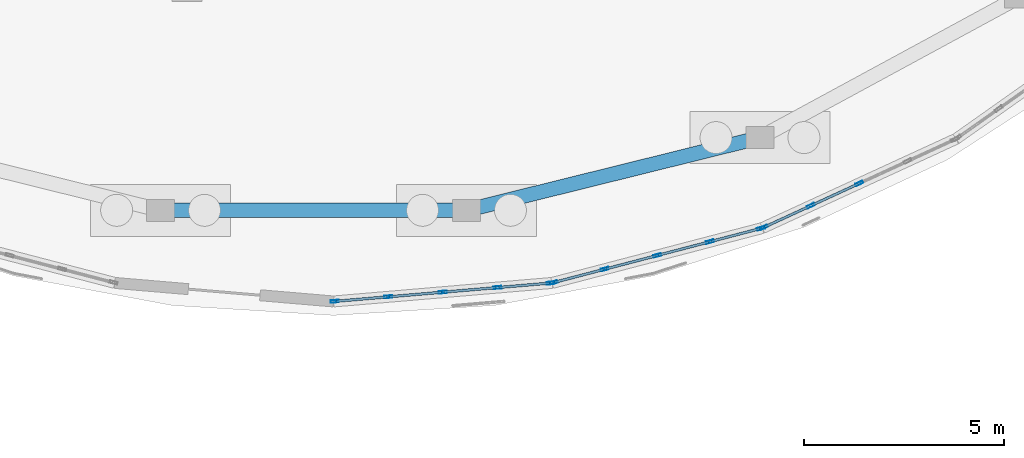
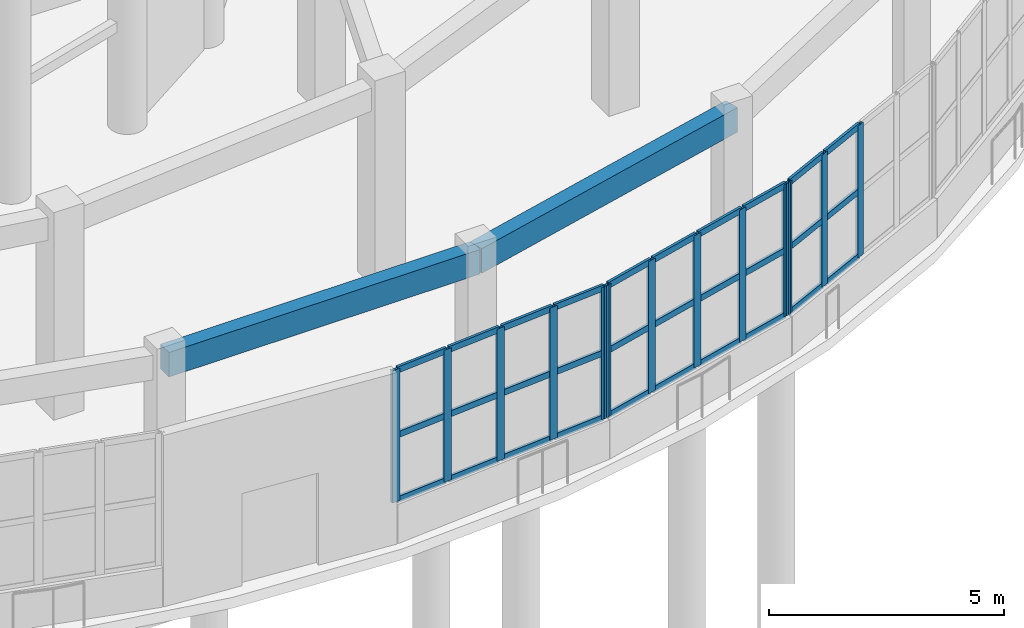
# One storey, part 32 of 96: 43 members, 2 beams, 3 elements without a shape of their own.
"""IFC4 building model written with IfcOpenShell, lengths in metres."""

from ifc_helpers import new_model, si_unit, direction, frame, origin, origin_2d, place, context, subcontext, project, spatial, rectangle, hollow_rectangle, extrude, material, layer, layer_set, material_profile, profile_set, type_object, element, aggregate, save


model = new_model("IFC4")

# Units and contexts
model_context = context("Model", 3, precision=1e-05, world=origin(), true_north=direction((0.0, 1.0)))
body_context = subcontext(model_context, "Body", "Model", "MODEL_VIEW")
ifc_project = project(units=[si_unit("LENGTHUNIT", "METRE"), si_unit("AREAUNIT", "SQUARE_METRE"), si_unit("VOLUMEUNIT", "CUBIC_METRE"), si_unit("PLANEANGLEUNIT", "RADIAN"), si_unit("MASSUNIT", "GRAM", prefix="KILO")], contexts=[model_context])

# Site, building, storey
site_placement = place(None, origin())
site = spatial("IfcSite", under=ifc_project, at=site_placement, CompositionType="ELEMENT")
building_placement = place(site_placement, origin())
building = spatial("IfcBuilding", under=site, at=building_placement, Name="Pelvatis Terrace Science Centre", CompositionType="ELEMENT")
storey_placement = place(building_placement, origin())
storey = spatial("IfcBuildingStorey", under=building, at=storey_placement, Name="L00", CompositionType="ELEMENT", Elevation=0.0)

# Curtain wall, members
ifc_material_1 = material(Name="Bronze-anodised aluminium and laminated glass", Category="aluminium")
ifc_layer = layer(ifc_material_1, 0.199951171875)
ifc_layer_set = layer_set([ifc_layer], Name="Bronze-anodised aluminium and laminated glass")
curtain_wall_type = type_object("IfcCurtainWallType", Name="CW-RIBBON-B", PredefinedType="NOTDEFINED", material=ifc_layer_set)
curtain_wall_1_placement = place(storey_placement, origin())
curtain_wall_1 = element("IfcCurtainWall", 1, at=curtain_wall_1_placement, inside=storey, type_object=curtain_wall_type, Name="Ribbon curtain wall CW-119 (L00)", PredefinedType="NOTDEFINED")
ifc_material_2 = material(Name="Bronze-anodised aluminium 6063-T6", Category="aluminium")
ifc_material_profile_1 = material_profile(ifc_material_2, hollow_rectangle(XDim=0.06494140625, YDim=0.199951171875, WallThickness=0.00439453125, at=origin_2d()), Name="ALU-MUL 65x200")
ifc_profile_set_1 = profile_set([ifc_material_profile_1], Name="Bronze-anodised aluminium 6063-T6")
member_type_1 = type_object("IfcMemberType", Name="CWM-65x200", PredefinedType="MULLION", material=ifc_profile_set_1)
member_1_placement = place(storey_placement, frame((111.63232421875, 58.052734375, 1.02001953125), z_axis=(0.0, 0.0, 1.0), x_axis=(-0.084487507255, 0.996424538597, 0.0)))
member_1 = element("IfcMember", 2, at=member_1_placement, type_object=member_type_1, Name="CW-119 mullion 1", PredefinedType="MULLION", context=body_context, shape_type="SweptSolid", body=[
    extrude(hollow_rectangle(XDim=0.06494140625, YDim=0.199951171875, WallThickness=0.00439453125, at=origin_2d()), origin(), (0.0, 0.0, 1.0), 3.43994140625),
])
member_2_placement = place(storey_placement, frame((112.968017578125, 58.166015625, 1.02001953125), z_axis=(0.0, 0.0, 1.0), x_axis=(-0.084487507255, 0.996424538597, 0.0)))
member_2 = element("IfcMember", 3, at=member_2_placement, type_object=member_type_1, Name="CW-119 mullion 2", PredefinedType="MULLION", context=body_context, shape_type="SweptSolid", body=[
    extrude(hollow_rectangle(XDim=0.06494140625, YDim=0.199951171875, WallThickness=0.00439453125, at=origin_2d()), origin(), (0.0, 0.0, 1.0), 3.43994140625),
])
member_3_placement = place(storey_placement, frame((114.336181640625, 58.281982421875, 1.02001953125), z_axis=(0.0, 0.0, 1.0), x_axis=(-0.084487507255, 0.996424538597, 0.0)))
member_3 = element("IfcMember", 4, at=member_3_placement, type_object=member_type_1, Name="CW-119 mullion 3", PredefinedType="MULLION", context=body_context, shape_type="SweptSolid", body=[
    extrude(hollow_rectangle(XDim=0.06494140625, YDim=0.199951171875, WallThickness=0.00439453125, at=origin_2d()), origin(), (0.0, 0.0, 1.0), 3.43994140625),
])
member_4_placement = place(storey_placement, frame((115.704345703125, 58.39794921875, 1.02001953125), z_axis=(0.0, 0.0, 1.0), x_axis=(-0.084487507255, 0.996424538597, 0.0)))
member_4 = element("IfcMember", 5, at=member_4_placement, type_object=member_type_1, Name="CW-119 mullion 4", PredefinedType="MULLION", context=body_context, shape_type="SweptSolid", body=[
    extrude(hollow_rectangle(XDim=0.06494140625, YDim=0.199951171875, WallThickness=0.00439453125, at=origin_2d()), origin(), (0.0, 0.0, 1.0), 3.43994140625),
])
member_5_placement = place(storey_placement, frame((117.039794921875, 58.51123046875, 1.02001953125), z_axis=(0.0, 0.0, 1.0), x_axis=(-0.084487507255, 0.996424538597, 0.0)))
member_5 = element("IfcMember", 6, at=member_5_placement, type_object=member_type_1, Name="CW-119 mullion 5", PredefinedType="MULLION", context=body_context, shape_type="SweptSolid", body=[
    extrude(hollow_rectangle(XDim=0.06494140625, YDim=0.199951171875, WallThickness=0.00439453125, at=origin_2d()), origin(), (0.0, 0.0, 1.0), 3.43994140625),
])

curtain_wall_2_placement = place(storey_placement, origin())
curtain_wall_2 = element("IfcCurtainWall", 7, at=curtain_wall_2_placement, inside=storey, type_object=curtain_wall_type, Name="Ribbon curtain wall CW-120 (L00)", PredefinedType="NOTDEFINED")
member_6_placement = place(storey_placement, frame((117.103759765625, 58.522216796875, 1.02001953125), z_axis=(0.0, 0.0, 1.0), x_axis=(-0.252698088449, 0.967545180389, 0.0)))
member_6 = element("IfcMember", 8, at=member_6_placement, type_object=member_type_1, Name="CW-120 mullion 1", PredefinedType="MULLION", context=body_context, shape_type="SweptSolid", body=[
    extrude(hollow_rectangle(XDim=0.06494140625, YDim=0.199951171875, WallThickness=0.00439453125, at=origin_2d()), origin(), (0.0, 0.0, 1.0), 3.43994140625),
])
member_7_placement = place(storey_placement, frame((118.3876953125, 58.857666015625, 1.02001953125), z_axis=(0.0, 0.0, 1.0), x_axis=(-0.252698088449, 0.967545180389, 0.0)))
member_7 = element("IfcMember", 9, at=member_7_placement, type_object=member_type_1, Name="CW-120 mullion 2", PredefinedType="MULLION", context=body_context, shape_type="SweptSolid", body=[
    extrude(hollow_rectangle(XDim=0.06494140625, YDim=0.199951171875, WallThickness=0.00439453125, at=origin_2d()), origin(), (0.0, 0.0, 1.0), 3.43994140625),
])
member_8_placement = place(storey_placement, frame((119.703369140625, 59.201171875, 1.02001953125), z_axis=(0.0, 0.0, 1.0), x_axis=(-0.252698088449, 0.967545180389, 0.0)))
member_8 = element("IfcMember", 10, at=member_8_placement, type_object=member_type_1, Name="CW-120 mullion 3", PredefinedType="MULLION", context=body_context, shape_type="SweptSolid", body=[
    extrude(hollow_rectangle(XDim=0.06494140625, YDim=0.199951171875, WallThickness=0.00439453125, at=origin_2d()), origin(), (0.0, 0.0, 1.0), 3.43994140625),
])
member_9_placement = place(storey_placement, frame((121.018798828125, 59.544677734375, 1.02001953125), z_axis=(0.0, 0.0, 1.0), x_axis=(-0.252698088449, 0.967545180389, 0.0)))
member_9 = element("IfcMember", 11, at=member_9_placement, type_object=member_type_1, Name="CW-120 mullion 4", PredefinedType="MULLION", context=body_context, shape_type="SweptSolid", body=[
    extrude(hollow_rectangle(XDim=0.06494140625, YDim=0.199951171875, WallThickness=0.00439453125, at=origin_2d()), origin(), (0.0, 0.0, 1.0), 3.43994140625),
])
member_10_placement = place(storey_placement, frame((122.302734375, 59.880126953125, 1.02001953125), z_axis=(0.0, 0.0, 1.0), x_axis=(-0.252698088449, 0.967545180389, 0.0)))
member_10 = element("IfcMember", 12, at=member_10_placement, type_object=member_type_1, Name="CW-120 mullion 5", PredefinedType="MULLION", context=body_context, shape_type="SweptSolid", body=[
    extrude(hollow_rectangle(XDim=0.06494140625, YDim=0.199951171875, WallThickness=0.00439453125, at=origin_2d()), origin(), (0.0, 0.0, 1.0), 3.43994140625),
])

curtain_wall_3_placement = place(storey_placement, origin())
curtain_wall_3 = element("IfcCurtainWall", 13, at=curtain_wall_3_placement, inside=storey, type_object=curtain_wall_type, Name="Ribbon curtain wall CW-121 (L00)", PredefinedType="NOTDEFINED")
member_11_placement = place(storey_placement, frame((122.36376953125, 59.90185546875, 1.02001953125), z_axis=(0.0, 0.0, 1.0), x_axis=(-0.41805650264, 0.908421026067, 0.0)))
member_11 = element("IfcMember", 14, at=member_11_placement, type_object=member_type_1, Name="CW-121 mullion 1", PredefinedType="MULLION", context=body_context, shape_type="SweptSolid", body=[
    extrude(hollow_rectangle(XDim=0.06494140625, YDim=0.199951171875, WallThickness=0.00439453125, at=origin_2d()), origin(), (0.0, 0.0, 1.0), 3.43994140625),
])
member_12_placement = place(storey_placement, frame((123.546630859375, 60.4462890625, 1.02001953125), z_axis=(0.0, 0.0, 1.0), x_axis=(-0.41805650264, 0.908421026067, 0.0)))
member_12 = element("IfcMember", 15, at=member_12_placement, type_object=member_type_1, Name="CW-121 mullion 2", PredefinedType="MULLION", context=body_context, shape_type="SweptSolid", body=[
    extrude(hollow_rectangle(XDim=0.06494140625, YDim=0.199951171875, WallThickness=0.00439453125, at=origin_2d()), origin(), (0.0, 0.0, 1.0), 3.43994140625),
])
member_13_placement = place(storey_placement, frame((124.759033203125, 61.004150390625, 1.02001953125), z_axis=(0.0, 0.0, 1.0), x_axis=(-0.41805650264, 0.908421026067, 0.0)))
member_13 = element("IfcMember", 16, at=member_13_placement, type_object=member_type_1, Name="CW-121 mullion 3", PredefinedType="MULLION", context=body_context, shape_type="SweptSolid", body=[
    extrude(hollow_rectangle(XDim=0.06494140625, YDim=0.199951171875, WallThickness=0.00439453125, at=origin_2d()), origin(), (0.0, 0.0, 1.0), 3.43994140625),
])

# Member
ifc_material_3 = material(Name="Bronze-anodised aluminium 6063-T6", Category="aluminium")
ifc_material_profile_2 = material_profile(ifc_material_3, hollow_rectangle(XDim=0.06494140625, YDim=0.159912109375, WallThickness=0.00390625, at=origin_2d()), Name="ALU-TRN 65x160")
ifc_profile_set_2 = profile_set([ifc_material_profile_2], Name="Bronze-anodised aluminium 6063-T6")
member_type_2 = type_object("IfcMemberType", Name="CWT-65x160", PredefinedType="USERDEFINED", material=ifc_profile_set_2)
member_14_placement = place(storey_placement, frame((111.664794921875, 58.055419921875, 1.052490234375), z_axis=(0.996415190966, 0.084597678526, 0.0), x_axis=(-0.084597678526, 0.996415190966, 0.0)))
member_14 = element("IfcMember", 17, at=member_14_placement, type_object=member_type_2, Name="CW-119 transom 1.1", ObjectType="TRANSOM", PredefinedType="USERDEFINED", context=body_context, shape_type="SweptSolid", body=[
    extrude(hollow_rectangle(XDim=0.06494140625, YDim=0.159912109375, WallThickness=0.00390625, at=origin_2d()), origin(), (0.0, 0.0, 1.0), 1.275634765625),
])

member_15_placement = place(storey_placement, frame((111.664794921875, 58.055419921875, 2.739990234375), z_axis=(0.996415190966, 0.084597678526, 0.0), x_axis=(-0.084597678526, 0.996415190966, 0.0)))
member_15 = element("IfcMember", 18, at=member_15_placement, type_object=member_type_2, Name="CW-119 transom 1.2", ObjectType="TRANSOM", PredefinedType="USERDEFINED", context=body_context, shape_type="SweptSolid", body=[
    extrude(hollow_rectangle(XDim=0.06494140625, YDim=0.159912109375, WallThickness=0.00390625, at=origin_2d()), origin(), (0.0, 0.0, 1.0), 1.275634765625),
])

member_16_placement = place(storey_placement, frame((111.664794921875, 58.055419921875, 4.427490234375), z_axis=(0.996415190966, 0.084597678526, 0.0), x_axis=(-0.084597678526, 0.996415190966, 0.0)))
member_16 = element("IfcMember", 19, at=member_16_placement, type_object=member_type_2, Name="CW-119 transom 1.3", ObjectType="TRANSOM", PredefinedType="USERDEFINED", context=body_context, shape_type="SweptSolid", body=[
    extrude(hollow_rectangle(XDim=0.06494140625, YDim=0.159912109375, WallThickness=0.00390625, at=origin_2d()), origin(), (0.0, 0.0, 1.0), 1.275634765625),
])

member_17_placement = place(storey_placement, frame((113.00048828125, 58.168701171875, 1.052490234375), z_axis=(0.996418448418, 0.084559302573, 0.0), x_axis=(-0.084559302573, 0.996418448418, 0.0)))
member_17 = element("IfcMember", 20, at=member_17_placement, type_object=member_type_2, Name="CW-119 transom 2.1", ObjectType="TRANSOM", PredefinedType="USERDEFINED", context=body_context, shape_type="SweptSolid", body=[
    extrude(hollow_rectangle(XDim=0.06494140625, YDim=0.159912109375, WallThickness=0.00390625, at=origin_2d()), origin(), (0.0, 0.0, 1.0), 1.307861328125),
])

member_18_placement = place(storey_placement, frame((113.00048828125, 58.168701171875, 2.739990234375), z_axis=(0.996418448418, 0.084559302573, 0.0), x_axis=(-0.084559302573, 0.996418448418, 0.0)))
member_18 = element("IfcMember", 21, at=member_18_placement, type_object=member_type_2, Name="CW-119 transom 2.2", ObjectType="TRANSOM", PredefinedType="USERDEFINED", context=body_context, shape_type="SweptSolid", body=[
    extrude(hollow_rectangle(XDim=0.06494140625, YDim=0.159912109375, WallThickness=0.00390625, at=origin_2d()), origin(), (0.0, 0.0, 1.0), 1.307861328125),
])

member_19_placement = place(storey_placement, frame((113.00048828125, 58.168701171875, 4.427490234375), z_axis=(0.996418448418, 0.084559302573, 0.0), x_axis=(-0.084559302573, 0.996418448418, 0.0)))
member_19 = element("IfcMember", 22, at=member_19_placement, type_object=member_type_2, Name="CW-119 transom 2.3", ObjectType="TRANSOM", PredefinedType="USERDEFINED", context=body_context, shape_type="SweptSolid", body=[
    extrude(hollow_rectangle(XDim=0.06494140625, YDim=0.159912109375, WallThickness=0.00390625, at=origin_2d()), origin(), (0.0, 0.0, 1.0), 1.307861328125),
])

member_20_placement = place(storey_placement, frame((114.36865234375, 58.28466796875, 1.052490234375), z_axis=(0.996418448418, 0.084559302573, 0.0), x_axis=(-0.084559302573, 0.996418448418, 0.0)))
member_20 = element("IfcMember", 23, at=member_20_placement, type_object=member_type_2, Name="CW-119 transom 3.1", ObjectType="TRANSOM", PredefinedType="USERDEFINED", context=body_context, shape_type="SweptSolid", body=[
    extrude(hollow_rectangle(XDim=0.06494140625, YDim=0.159912109375, WallThickness=0.00390625, at=origin_2d()), origin(), (0.0, 0.0, 1.0), 1.307861328125),
])

member_21_placement = place(storey_placement, frame((114.36865234375, 58.28466796875, 2.739990234375), z_axis=(0.996418448418, 0.084559302573, 0.0), x_axis=(-0.084559302573, 0.996418448418, 0.0)))
member_21 = element("IfcMember", 24, at=member_21_placement, type_object=member_type_2, Name="CW-119 transom 3.2", ObjectType="TRANSOM", PredefinedType="USERDEFINED", context=body_context, shape_type="SweptSolid", body=[
    extrude(hollow_rectangle(XDim=0.06494140625, YDim=0.159912109375, WallThickness=0.00390625, at=origin_2d()), origin(), (0.0, 0.0, 1.0), 1.307861328125),
])

member_22_placement = place(storey_placement, frame((114.36865234375, 58.28466796875, 4.427490234375), z_axis=(0.996418448418, 0.084559302573, 0.0), x_axis=(-0.084559302573, 0.996418448418, 0.0)))
member_22 = element("IfcMember", 25, at=member_22_placement, type_object=member_type_2, Name="CW-119 transom 3.3", ObjectType="TRANSOM", PredefinedType="USERDEFINED", context=body_context, shape_type="SweptSolid", body=[
    extrude(hollow_rectangle(XDim=0.06494140625, YDim=0.159912109375, WallThickness=0.00390625, at=origin_2d()), origin(), (0.0, 0.0, 1.0), 1.307861328125),
])

member_23_placement = place(storey_placement, frame((115.736572265625, 58.400634765625, 1.052490234375), z_axis=(0.996415190966, 0.084597678526, 0.0), x_axis=(-0.084597678526, 0.996415190966, 0.0)))
member_23 = element("IfcMember", 26, at=member_23_placement, type_object=member_type_2, Name="CW-119 transom 4.1", ObjectType="TRANSOM", PredefinedType="USERDEFINED", context=body_context, shape_type="SweptSolid", body=[
    extrude(hollow_rectangle(XDim=0.06494140625, YDim=0.159912109375, WallThickness=0.00390625, at=origin_2d()), origin(), (0.0, 0.0, 1.0), 1.275634765625),
])

member_24_placement = place(storey_placement, frame((115.736572265625, 58.400634765625, 2.739990234375), z_axis=(0.996415190966, 0.084597678526, 0.0), x_axis=(-0.084597678526, 0.996415190966, 0.0)))
member_24 = element("IfcMember", 27, at=member_24_placement, type_object=member_type_2, Name="CW-119 transom 4.2", ObjectType="TRANSOM", PredefinedType="USERDEFINED", context=body_context, shape_type="SweptSolid", body=[
    extrude(hollow_rectangle(XDim=0.06494140625, YDim=0.159912109375, WallThickness=0.00390625, at=origin_2d()), origin(), (0.0, 0.0, 1.0), 1.275634765625),
])

member_25_placement = place(storey_placement, frame((115.736572265625, 58.400634765625, 4.427490234375), z_axis=(0.996415190966, 0.084597678526, 0.0), x_axis=(-0.084597678526, 0.996415190966, 0.0)))
member_25 = element("IfcMember", 28, at=member_25_placement, type_object=member_type_2, Name="CW-119 transom 4.3", ObjectType="TRANSOM", PredefinedType="USERDEFINED", context=body_context, shape_type="SweptSolid", body=[
    extrude(hollow_rectangle(XDim=0.06494140625, YDim=0.159912109375, WallThickness=0.00390625, at=origin_2d()), origin(), (0.0, 0.0, 1.0), 1.275634765625),
])

aggregate(curtain_wall_1, [member_1, member_2, member_3, member_4, member_5, member_14, member_15, member_16, member_17, member_18, member_19, member_20, member_21, member_22, member_23, member_24, member_25])

member_26_placement = place(storey_placement, frame((117.13525390625, 58.530517578125, 1.052490234375), z_axis=(0.967563842027, 0.252626624887, 0.0), x_axis=(-0.252626624887, 0.967563842027, 0.0)))
member_26 = element("IfcMember", 29, at=member_26_placement, type_object=member_type_2, Name="CW-120 transom 1.1", ObjectType="TRANSOM", PredefinedType="USERDEFINED", context=body_context, shape_type="SweptSolid", body=[
    extrude(hollow_rectangle(XDim=0.06494140625, YDim=0.159912109375, WallThickness=0.00390625, at=origin_2d()), origin(), (0.0, 0.0, 1.0), 1.26220703125),
])

member_27_placement = place(storey_placement, frame((117.13525390625, 58.530517578125, 2.739990234375), z_axis=(0.967563842027, 0.252626624887, 0.0), x_axis=(-0.252626624887, 0.967563842027, 0.0)))
member_27 = element("IfcMember", 30, at=member_27_placement, type_object=member_type_2, Name="CW-120 transom 1.2", ObjectType="TRANSOM", PredefinedType="USERDEFINED", context=body_context, shape_type="SweptSolid", body=[
    extrude(hollow_rectangle(XDim=0.06494140625, YDim=0.159912109375, WallThickness=0.00390625, at=origin_2d()), origin(), (0.0, 0.0, 1.0), 1.26220703125),
])

member_28_placement = place(storey_placement, frame((117.13525390625, 58.530517578125, 4.427490234375), z_axis=(0.967563842027, 0.252626624887, 0.0), x_axis=(-0.252626624887, 0.967563842027, 0.0)))
member_28 = element("IfcMember", 31, at=member_28_placement, type_object=member_type_2, Name="CW-120 transom 1.3", ObjectType="TRANSOM", PredefinedType="USERDEFINED", context=body_context, shape_type="SweptSolid", body=[
    extrude(hollow_rectangle(XDim=0.06494140625, YDim=0.159912109375, WallThickness=0.00390625, at=origin_2d()), origin(), (0.0, 0.0, 1.0), 1.26220703125),
])

member_29_placement = place(storey_placement, frame((118.419189453125, 58.86572265625, 1.052490234375), z_axis=(0.967549151995, 0.252682881246, 0.0), x_axis=(-0.252682881246, 0.967549151995, 0.0)))
member_29 = element("IfcMember", 32, at=member_29_placement, type_object=member_type_2, Name="CW-120 transom 2.1", ObjectType="TRANSOM", PredefinedType="USERDEFINED", context=body_context, shape_type="SweptSolid", body=[
    extrude(hollow_rectangle(XDim=0.06494140625, YDim=0.159912109375, WallThickness=0.00390625, at=origin_2d()), origin(), (0.0, 0.0, 1.0), 1.294677734375),
])

member_30_placement = place(storey_placement, frame((118.419189453125, 58.86572265625, 2.739990234375), z_axis=(0.967549151995, 0.252682881246, 0.0), x_axis=(-0.252682881246, 0.967549151995, 0.0)))
member_30 = element("IfcMember", 33, at=member_30_placement, type_object=member_type_2, Name="CW-120 transom 2.2", ObjectType="TRANSOM", PredefinedType="USERDEFINED", context=body_context, shape_type="SweptSolid", body=[
    extrude(hollow_rectangle(XDim=0.06494140625, YDim=0.159912109375, WallThickness=0.00390625, at=origin_2d()), origin(), (0.0, 0.0, 1.0), 1.294677734375),
])

member_31_placement = place(storey_placement, frame((118.419189453125, 58.86572265625, 4.427490234375), z_axis=(0.967549151995, 0.252682881246, 0.0), x_axis=(-0.252682881246, 0.967549151995, 0.0)))
member_31 = element("IfcMember", 34, at=member_31_placement, type_object=member_type_2, Name="CW-120 transom 2.3", ObjectType="TRANSOM", PredefinedType="USERDEFINED", context=body_context, shape_type="SweptSolid", body=[
    extrude(hollow_rectangle(XDim=0.06494140625, YDim=0.159912109375, WallThickness=0.00390625, at=origin_2d()), origin(), (0.0, 0.0, 1.0), 1.294677734375),
])

member_32_placement = place(storey_placement, frame((119.73486328125, 59.20947265625, 1.052490234375), z_axis=(0.967537108805, 0.252728991384, 0.0), x_axis=(-0.252728991384, 0.967537108805, 0.0)))
member_32 = element("IfcMember", 35, at=member_32_placement, type_object=member_type_2, Name="CW-120 transom 3.1", ObjectType="TRANSOM", PredefinedType="USERDEFINED", context=body_context, shape_type="SweptSolid", body=[
    extrude(hollow_rectangle(XDim=0.06494140625, YDim=0.159912109375, WallThickness=0.00390625, at=origin_2d()), origin(), (0.0, 0.0, 1.0), 1.29443359375),
])

member_33_placement = place(storey_placement, frame((119.73486328125, 59.20947265625, 2.739990234375), z_axis=(0.967537108805, 0.252728991384, 0.0), x_axis=(-0.252728991384, 0.967537108805, 0.0)))
member_33 = element("IfcMember", 36, at=member_33_placement, type_object=member_type_2, Name="CW-120 transom 3.2", ObjectType="TRANSOM", PredefinedType="USERDEFINED", context=body_context, shape_type="SweptSolid", body=[
    extrude(hollow_rectangle(XDim=0.06494140625, YDim=0.159912109375, WallThickness=0.00390625, at=origin_2d()), origin(), (0.0, 0.0, 1.0), 1.29443359375),
])

member_34_placement = place(storey_placement, frame((119.73486328125, 59.20947265625, 4.427490234375), z_axis=(0.967537108805, 0.252728991384, 0.0), x_axis=(-0.252728991384, 0.967537108805, 0.0)))
member_34 = element("IfcMember", 37, at=member_34_placement, type_object=member_type_2, Name="CW-120 transom 3.3", ObjectType="TRANSOM", PredefinedType="USERDEFINED", context=body_context, shape_type="SweptSolid", body=[
    extrude(hollow_rectangle(XDim=0.06494140625, YDim=0.159912109375, WallThickness=0.00390625, at=origin_2d()), origin(), (0.0, 0.0, 1.0), 1.29443359375),
])

member_35_placement = place(storey_placement, frame((121.05029296875, 59.552978515625, 1.052490234375), z_axis=(0.967563842027, 0.252626624887, 0.0), x_axis=(-0.252626624887, 0.967563842027, 0.0)))
member_35 = element("IfcMember", 38, at=member_35_placement, type_object=member_type_2, Name="CW-120 transom 4.1", ObjectType="TRANSOM", PredefinedType="USERDEFINED", context=body_context, shape_type="SweptSolid", body=[
    extrude(hollow_rectangle(XDim=0.06494140625, YDim=0.159912109375, WallThickness=0.00390625, at=origin_2d()), origin(), (0.0, 0.0, 1.0), 1.26220703125),
])

member_36_placement = place(storey_placement, frame((121.05029296875, 59.552978515625, 2.739990234375), z_axis=(0.967563842027, 0.252626624887, 0.0), x_axis=(-0.252626624887, 0.967563842027, 0.0)))
member_36 = element("IfcMember", 39, at=member_36_placement, type_object=member_type_2, Name="CW-120 transom 4.2", ObjectType="TRANSOM", PredefinedType="USERDEFINED", context=body_context, shape_type="SweptSolid", body=[
    extrude(hollow_rectangle(XDim=0.06494140625, YDim=0.159912109375, WallThickness=0.00390625, at=origin_2d()), origin(), (0.0, 0.0, 1.0), 1.26220703125),
])

member_37_placement = place(storey_placement, frame((121.05029296875, 59.552978515625, 4.427490234375), z_axis=(0.967563842027, 0.252626624887, 0.0), x_axis=(-0.252626624887, 0.967563842027, 0.0)))
member_37 = element("IfcMember", 40, at=member_37_placement, type_object=member_type_2, Name="CW-120 transom 4.3", ObjectType="TRANSOM", PredefinedType="USERDEFINED", context=body_context, shape_type="SweptSolid", body=[
    extrude(hollow_rectangle(XDim=0.06494140625, YDim=0.159912109375, WallThickness=0.00390625, at=origin_2d()), origin(), (0.0, 0.0, 1.0), 1.26220703125),
])

aggregate(curtain_wall_2, [member_6, member_7, member_8, member_9, member_10, member_26, member_27, member_28, member_29, member_30, member_31, member_32, member_33, member_34, member_35, member_36, member_37])

member_38_placement = place(storey_placement, frame((122.393310546875, 59.91552734375, 1.052490234375), z_axis=(0.908443990463, 0.418006598262, 0.0), x_axis=(-0.418006598262, 0.908443990463, 0.0)))
member_38 = element("IfcMember", 41, at=member_38_placement, type_object=member_type_2, Name="CW-121 transom 1.1", ObjectType="TRANSOM", PredefinedType="USERDEFINED", context=body_context, shape_type="SweptSolid", body=[
    extrude(hollow_rectangle(XDim=0.06494140625, YDim=0.159912109375, WallThickness=0.00390625, at=origin_2d()), origin(), (0.0, 0.0, 1.0), 1.237060546875),
])

member_39_placement = place(storey_placement, frame((122.393310546875, 59.91552734375, 2.739990234375), z_axis=(0.908443990463, 0.418006598262, 0.0), x_axis=(-0.418006598262, 0.908443990463, 0.0)))
member_39 = element("IfcMember", 42, at=member_39_placement, type_object=member_type_2, Name="CW-121 transom 1.2", ObjectType="TRANSOM", PredefinedType="USERDEFINED", context=body_context, shape_type="SweptSolid", body=[
    extrude(hollow_rectangle(XDim=0.06494140625, YDim=0.159912109375, WallThickness=0.00390625, at=origin_2d()), origin(), (0.0, 0.0, 1.0), 1.237060546875),
])

member_40_placement = place(storey_placement, frame((122.393310546875, 59.91552734375, 4.427490234375), z_axis=(0.908443990463, 0.418006598262, 0.0), x_axis=(-0.418006598262, 0.908443990463, 0.0)))
member_40 = element("IfcMember", 43, at=member_40_placement, type_object=member_type_2, Name="CW-121 transom 1.3", ObjectType="TRANSOM", PredefinedType="USERDEFINED", context=body_context, shape_type="SweptSolid", body=[
    extrude(hollow_rectangle(XDim=0.06494140625, YDim=0.159912109375, WallThickness=0.00390625, at=origin_2d()), origin(), (0.0, 0.0, 1.0), 1.237060546875),
])

member_41_placement = place(storey_placement, frame((123.576171875, 60.459716796875, 1.052490234375), z_axis=(0.908420351401, 0.418057968659, 0.0), x_axis=(-0.418057968659, 0.908420351401, 0.0)))
member_41 = element("IfcMember", 44, at=member_41_placement, type_object=member_type_2, Name="CW-121 transom 2.1", ObjectType="TRANSOM", PredefinedType="USERDEFINED", context=body_context, shape_type="SweptSolid", body=[
    extrude(hollow_rectangle(XDim=0.06494140625, YDim=0.159912109375, WallThickness=0.00390625, at=origin_2d()), origin(), (0.0, 0.0, 1.0), 1.26953125),
])

member_42_placement = place(storey_placement, frame((123.576171875, 60.459716796875, 2.739990234375), z_axis=(0.908420351401, 0.418057968659, 0.0), x_axis=(-0.418057968659, 0.908420351401, 0.0)))
member_42 = element("IfcMember", 45, at=member_42_placement, type_object=member_type_2, Name="CW-121 transom 2.2", ObjectType="TRANSOM", PredefinedType="USERDEFINED", context=body_context, shape_type="SweptSolid", body=[
    extrude(hollow_rectangle(XDim=0.06494140625, YDim=0.159912109375, WallThickness=0.00390625, at=origin_2d()), origin(), (0.0, 0.0, 1.0), 1.26953125),
])

member_43_placement = place(storey_placement, frame((123.576171875, 60.459716796875, 4.427490234375), z_axis=(0.908420351401, 0.418057968659, 0.0), x_axis=(-0.418057968659, 0.908420351401, 0.0)))
member_43 = element("IfcMember", 46, at=member_43_placement, type_object=member_type_2, Name="CW-121 transom 2.3", ObjectType="TRANSOM", PredefinedType="USERDEFINED", context=body_context, shape_type="SweptSolid", body=[
    extrude(hollow_rectangle(XDim=0.06494140625, YDim=0.159912109375, WallThickness=0.00390625, at=origin_2d()), origin(), (0.0, 0.0, 1.0), 1.26953125),
])

aggregate(curtain_wall_3, [member_11, member_12, member_13, member_38, member_39, member_40, member_41, member_42, member_43])

# Beams
ifc_material_4 = material(Name="Concrete C35/45", Category="concrete")
ifc_material_profile_3 = material_profile(ifc_material_4, rectangle(XDim=0.360107421875, YDim=0.639892578125, at=origin_2d()), Name="RC-SPN 360x640")
ifc_profile_set_3 = profile_set([ifc_material_profile_3], Name="Concrete C35/45")
beam_type = type_object("IfcBeamType", Name="SPN-RC-360x640", PredefinedType="SPANDREL", material=ifc_profile_set_3)
beam_1_placement = place(storey_placement, frame((107.271728515625, 60.3310546875, 4.820068359375), z_axis=(1.0, 0.0, 0.0), x_axis=(0.0, 1.0, 0.0)))
element("IfcBeam", 47, at=beam_1_placement, inside=storey, type_object=beam_type, Name="Spandrel SP-L00-2296", PredefinedType="SPANDREL", context=body_context, shape_type="SweptSolid", body=[
    extrude(rectangle(XDim=0.360107421875, YDim=0.639892578125, at=origin_2d()), origin(), (0.0, 0.0, 1.0), 7.656494140625),
])
beam_2_placement = place(storey_placement, frame((114.92822265625, 60.3310546875, 4.820068359375), z_axis=(0.970647009087, 0.240508593923, 0.0), x_axis=(-0.240508593923, 0.970647009087, 0.0)))
element("IfcBeam", 48, at=beam_2_placement, inside=storey, type_object=beam_type, Name="Spandrel SP-L00-2297", PredefinedType="SPANDREL", context=body_context, shape_type="SweptSolid", body=[
    extrude(rectangle(XDim=0.360107421875, YDim=0.639892578125, at=origin_2d()), origin(), (0.0, 0.0, 1.0), 7.568603515625),
])

save(model, "model.ifc")
